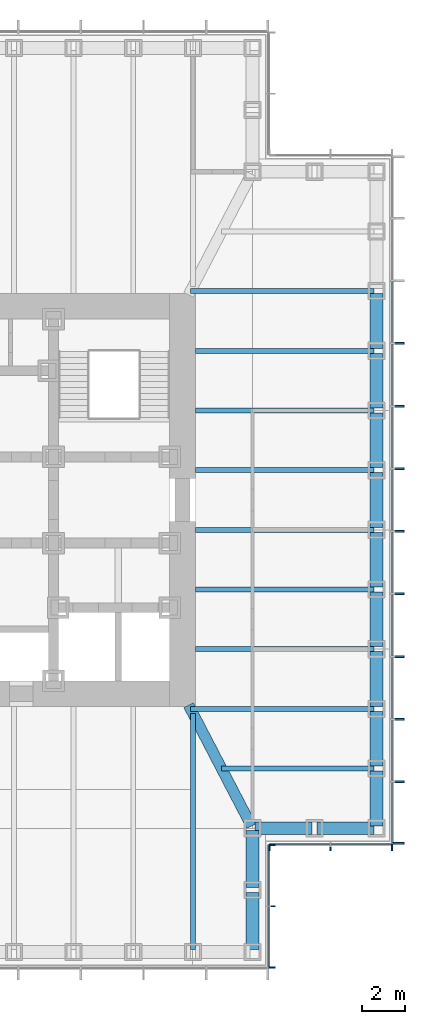
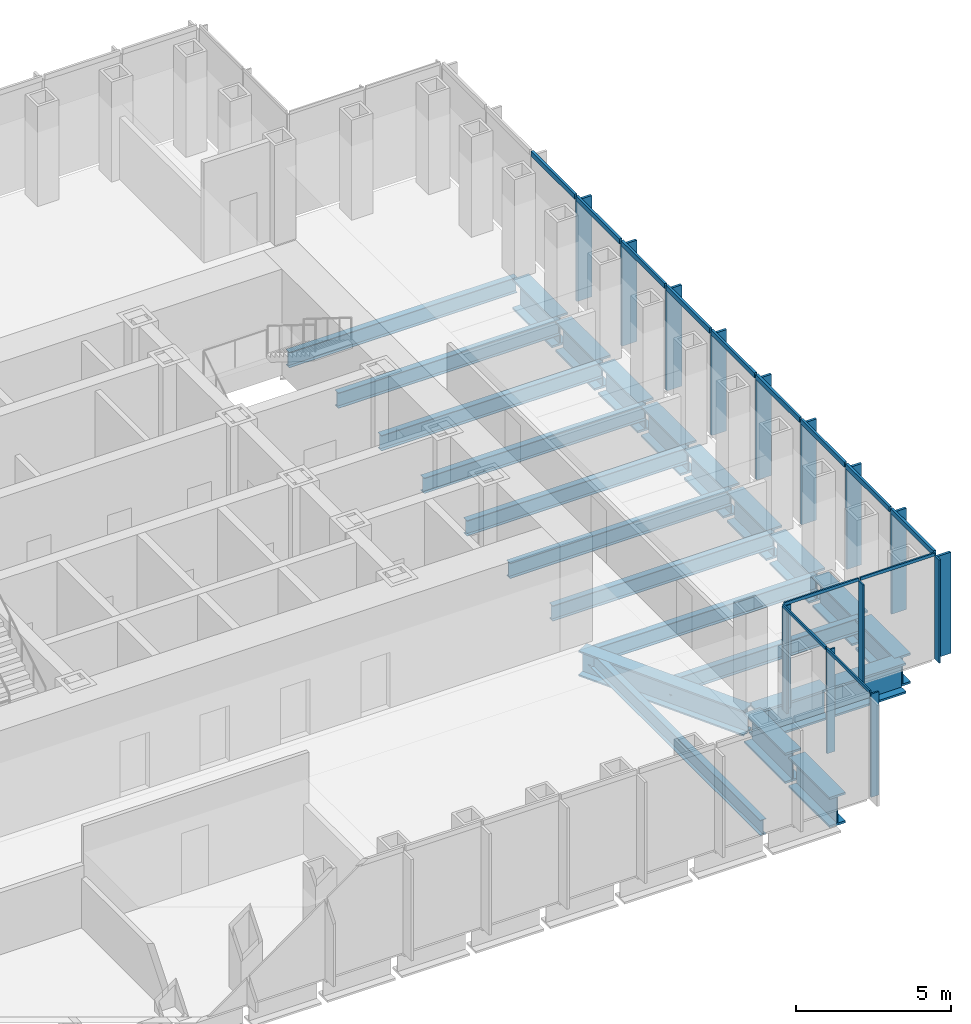
# One storey, part 4 of 16: 28 members, 24 beams, 3 elements without a shape of their own.
"""IFC4 building model written with IfcOpenShell, lengths in metres."""

import ifcopenshell
import ifcopenshell.guid

model = None  # the IFC model being written
_history = None  # IfcOwnerHistory: only IFC2X3 demands one
_inside = {}  # id of a spatial element -> (the spatial element, [elements in it])
_under = {}  # id of a project, library or spatial element -> (it, [spatial elements below it])
_declared = {}  # id of a project -> (the project, [libraries it declares])
_typed = {}  # id of a type object -> (the type object, [elements of that type])
_made_of = {}  # id of a material, layer set ... -> (it, [elements and type objects made of it])


def new_model(schema):
    """Start an empty IFC model of exactly this schema.

    Asked for "IFC4X3", IfcOpenShell would pick the latest addendum, in which some entities
    have other attributes; the version numbers below select the first issue.
    IFC2X3 requires an IfcOwnerHistory on every rooted entity: one is made here for all.
    """
    global model, _history
    if schema == "IFC4X3":
        model = ifcopenshell.file(schema_version=(4, 3, 0, 0))
    else:
        model = ifcopenshell.file(schema=schema)
    _inside.clear()
    _under.clear()
    _declared.clear()
    _typed.clear()
    _made_of.clear()
    _history = None
    if model.schema == "IFC2X3":
        org = make("IfcOrganization", Name="unknown")
        user = make(
            "IfcPersonAndOrganization",
            ThePerson=make("IfcPerson", FamilyName="unknown"),
            TheOrganization=org,
        )
        app = make(
            "IfcApplication",
            ApplicationDeveloper=org,
            Version="unknown",
            ApplicationFullName="unknown",
            ApplicationIdentifier="unknown",
        )
        _history = make(
            "IfcOwnerHistory",
            OwningUser=user,
            OwningApplication=app,
            ChangeAction="ADDED",
            CreationDate=0,
        )
    return model


def make(cls, **values):
    """One entity of the class cls with the attributes given. An attribute that is None is left unset."""
    return model.create_entity(
        cls, **{name: value for name, value in values.items() if value is not None}
    )


def rooted(cls, **values):
    """An entity with a GlobalId (a new one), such as an element, a storey or a relation."""
    return make(cls, GlobalId=ifcopenshell.guid.new(), OwnerHistory=_history, **values)


def si_unit(unit_type, name, prefix=None):
    """IfcSIUnit, for example si_unit("LENGTHUNIT", "METRE", prefix="MILLI")."""
    return make("IfcSIUnit", UnitType=unit_type, Prefix=prefix, Name=name)


def assignment(units):
    """IfcUnitAssignment: the units of a project."""
    return None if units is None else make("IfcUnitAssignment", Units=units)


def point(xyz):
    """IfcCartesianPoint."""
    return None if xyz is None else make("IfcCartesianPoint", Coordinates=xyz)


def direction(xyz):
    """IfcDirection."""
    return None if xyz is None else make("IfcDirection", DirectionRatios=xyz)


def frame(location, z_axis=None, x_axis=None):
    """IfcAxis2Placement3D, a coordinate frame: its origin and axes. An axis left out is left unset."""
    return make(
        "IfcAxis2Placement3D",
        Location=point(location),
        Axis=direction(z_axis),
        RefDirection=direction(x_axis),
    )


def frame_2d(location, x_axis=None):
    """IfcAxis2Placement2D, a coordinate frame in the plane: its origin and x axis."""
    return make(
        "IfcAxis2Placement2D", Location=point(location), RefDirection=direction(x_axis)
    )


def origin():
    """The frame at (0, 0, 0) with its axes left unset."""
    return frame((0.0, 0.0, 0.0))


def origin_2d():
    """The frame at (0, 0) in the plane with its x axis left unset."""
    return frame_2d((0.0, 0.0))


def place(relative_to, where):
    """IfcLocalPlacement: puts the frame where relative to a parent placement (None: the world)."""
    return make(
        "IfcLocalPlacement", PlacementRelTo=relative_to, RelativePlacement=where
    )


def context(
    kind, dimensions, precision=None, world=None, true_north=None, identifier=None
):
    """IfcGeometricRepresentationContext, for example the 3D "Model" context."""
    return make(
        "IfcGeometricRepresentationContext",
        ContextIdentifier=identifier,
        ContextType=kind,
        CoordinateSpaceDimension=dimensions,
        Precision=precision,
        WorldCoordinateSystem=world,
        TrueNorth=true_north,
    )


def subcontext(parent, identifier, kind, view, scale=None):
    """IfcGeometricRepresentationSubContext, for example "Body" below "Model"."""
    return make(
        "IfcGeometricRepresentationSubContext",
        ContextIdentifier=identifier,
        ContextType=kind,
        ParentContext=parent,
        TargetScale=scale,
        TargetView=view,
    )


def project(units=None, contexts=None):
    """IfcProject with its units and contexts."""
    return rooted(
        "IfcProject",
        Name="project",
        RepresentationContexts=contexts,
        UnitsInContext=assignment(units),
    )


def spatial(cls, under=None, at=None, **own):
    """A site, building, storey or space (cls), placed at a placement, below another one or the project."""
    s = rooted(cls, ObjectPlacement=at, **own)
    if under is not None:
        _under.setdefault(under.id(), (under, []))[1].append(s)
    return s


def profile(cls, at=None, kind="AREA", **sizes):
    """A parametric profile (cls). Its sizes go by their IFC names, for example OverallWidth=200.0."""
    return make(cls, ProfileType=kind, Position=at, **sizes)


def rectangle(**sizes):
    """IfcRectangleProfileDef."""
    return profile("IfcRectangleProfileDef", **sizes)


def i_section(**sizes):
    """IfcIShapeProfileDef."""
    return profile("IfcIShapeProfileDef", **sizes)


def extrude(swept, where, along, depth):
    """IfcExtrudedAreaSolid: the profile swept, set in the frame where, extruded along a direction by depth."""
    return make(
        "IfcExtrudedAreaSolid",
        SweptArea=swept,
        Position=where,
        ExtrudedDirection=direction(along),
        Depth=depth,
    )


def shape(context_of_items, identifier, shape_type, items):
    """IfcShapeRepresentation: the items that make up one representation, for example the "Body"."""
    return make(
        "IfcShapeRepresentation",
        ContextOfItems=context_of_items,
        RepresentationIdentifier=identifier,
        RepresentationType=shape_type,
        Items=items,
    )


def material(Name=None, Category=None):
    """IfcMaterial."""
    return make("IfcMaterial", Name=Name, Category=Category)


def material_profile(
    of_material, cross_section, Name=None, Category=None, Priority=None
):
    """IfcMaterialProfile: a cross section and its material."""
    return make(
        "IfcMaterialProfile",
        Name=Name,
        Material=of_material,
        Profile=cross_section,
        Priority=Priority,
        Category=Category,
    )


def profile_set(profiles, Name=None, composite=None):
    """IfcMaterialProfileSet."""
    return make(
        "IfcMaterialProfileSet",
        Name=Name,
        MaterialProfiles=profiles,
        CompositeProfile=composite,
    )


def made_of(thing, what):
    """Note that an element or type object is made of a material, layer set ...; save() writes the relation."""
    if what is not None:
        _made_of.setdefault(what.id(), (what, []))[1].append(thing)
    return thing


def type_object(cls, material=None, **own):
    """A type object (cls), such as IfcWallType, which elements share."""
    return made_of(rooted(cls, **own), material)


def element(
    cls,
    number,
    at=None,
    inside=None,
    cuts=None,
    type_object=None,
    material=None,
    context=None,
    identifier="Body",
    shape_type=None,
    held_by="IfcProductDefinitionShape",
    body=None,
    shapes=None,
    **own,
):
    """One element of the class cls, such as IfcWall. Its Tag is "e" and its number.

    at: its placement. inside: the storey or other place that contains it. cuts: it is an
    opening in that element (IfcRelVoidsElement). A single representation is given by context,
    identifier, shape_type and body (its items); several are given by shapes. held_by: the class
    of the entity that holds the representations. save() writes the other relations.
    """
    e = rooted(cls, Tag="e%d" % number, ObjectPlacement=at, **own)
    if body is not None:
        shapes = [shape(context, identifier, shape_type, body)]
    if shapes is not None:
        e.Representation = make(held_by, Representations=shapes)
    if inside is not None:
        _inside.setdefault(inside.id(), (inside, []))[1].append(e)
    if cuts is not None:
        rooted(
            "IfcRelVoidsElement", RelatingBuildingElement=cuts, RelatedOpeningElement=e
        )
    if type_object is not None:
        _typed.setdefault(type_object.id(), (type_object, []))[1].append(e)
    return made_of(e, material)


def aggregate(whole, parts):
    """IfcRelAggregates: a whole, such as a stair, and the parts it consists of."""
    return rooted("IfcRelAggregates", RelatingObject=whole, RelatedObjects=parts)


def save(model, path):
    """Write the relations noted so far, then the file.

    IfcRelAggregates (storeys below a building ...), IfcRelContainedInSpatialStructure (elements
    in a storey), IfcRelDefinesByType, IfcRelAssociatesMaterial and IfcRelDeclares: one each for
    every whole, place, type object, material and project.
    """
    for whole, parts in _under.values():
        aggregate(whole, parts)
    for where, things in _inside.values():
        rooted(
            "IfcRelContainedInSpatialStructure",
            RelatedElements=things,
            RelatingStructure=where,
        )
    for kind, things in _typed.values():
        rooted("IfcRelDefinesByType", RelatedObjects=things, RelatingType=kind)
    for what, things in _made_of.values():
        rooted("IfcRelAssociatesMaterial", RelatedObjects=things, RelatingMaterial=what)
    for by, libraries in _declared.values():
        rooted("IfcRelDeclares", RelatingContext=by, RelatedDefinitions=libraries)
    model.write(path)


model = new_model("IFC4")

# Units and contexts
model_context = context("Model", 3, precision=1e-05, world=origin(), true_north=direction((0.0, 1.0)))
body_context = subcontext(model_context, "Body", "Model", "MODEL_VIEW")
ifc_project = project(units=[si_unit("LENGTHUNIT", "METRE"), si_unit("AREAUNIT", "SQUARE_METRE"), si_unit("VOLUMEUNIT", "CUBIC_METRE"), si_unit("PLANEANGLEUNIT", "RADIAN"), si_unit("MASSUNIT", "GRAM", prefix="KILO")], contexts=[model_context])

# Site, building, storey
site_placement = place(None, origin())
site = spatial("IfcSite", under=ifc_project, at=site_placement, CompositionType="ELEMENT")
building_placement = place(site_placement, origin())
building = spatial("IfcBuilding", under=site, at=building_placement, Name="Daluyong Arena Tower", CompositionType="ELEMENT")
storey_placement = place(building_placement, frame((0.0, 0.0, 275.5)))
storey = spatial("IfcBuildingStorey", under=building, at=storey_placement, Name="L62", CompositionType="ELEMENT", Elevation=275.5)

# Curtain wall, members
ifc_material_1 = material(Name="Bronze anodised aluminium and glass", Category="aluminium")
curtain_wall_type_1 = type_object("IfcCurtainWallType", Name="Curtain wall CW4", PredefinedType="USERDEFINED", material=ifc_material_1)
curtain_wall_1_placement = place(storey_placement, origin())
curtain_wall_1 = element("IfcCurtainWall", 1, at=curtain_wall_1_placement, inside=storey, type_object=curtain_wall_type_1, Name="curtain wall L62 E", ObjectType="UNITISED CURTAIN WALL", PredefinedType="USERDEFINED")
ifc_material_2 = material(Name="Bronze anodised aluminium fin", Category="aluminium")
ifc_material_profile_1 = material_profile(ifc_material_2, rectangle(XDim=0.550048828125, YDim=0.090087890625, at=origin_2d()))
ifc_profile_set_1 = profile_set([ifc_material_profile_1], Name="Bronze anodised aluminium fin")
member_type_1 = type_object("IfcMemberType", Name="CW4 bronze fin 550x90", PredefinedType="MULLION", material=ifc_profile_set_1)
member_1_placement = place(storey_placement, frame((78.02490234375, 64.044921875, 0.0), z_axis=(0.0, 0.0, 1.0), x_axis=(-1.0, 0.0, 0.0)))
member_1 = element("IfcMember", 2, at=member_1_placement, type_object=member_type_1, Name="curtain wall L62 E fin 1", PredefinedType="MULLION", context=body_context, shape_type="SweptSolid", body=[
    extrude(rectangle(XDim=0.550048828125, YDim=0.090087890625, at=origin_2d()), origin(), (0.0, 0.0, 1.0), 4.0),
])
member_2_placement = place(storey_placement, frame((78.02490234375, 66.9091796875, 0.0), z_axis=(0.0, 0.0, 1.0), x_axis=(-1.0, 0.0, 0.0)))
member_2 = element("IfcMember", 3, at=member_2_placement, type_object=member_type_1, Name="curtain wall L62 E fin 2", PredefinedType="MULLION", context=body_context, shape_type="SweptSolid", body=[
    extrude(rectangle(XDim=0.550048828125, YDim=0.090087890625, at=origin_2d()), origin(), (0.0, 0.0, 1.0), 4.0),
])
member_3_placement = place(storey_placement, frame((78.02490234375, 69.818115234375, 0.0), z_axis=(0.0, 0.0, 1.0), x_axis=(-1.0, 0.0, 0.0)))
member_3 = element("IfcMember", 4, at=member_3_placement, type_object=member_type_1, Name="curtain wall L62 E fin 3", PredefinedType="MULLION", context=body_context, shape_type="SweptSolid", body=[
    extrude(rectangle(XDim=0.550048828125, YDim=0.090087890625, at=origin_2d()), origin(), (0.0, 0.0, 1.0), 4.0),
])
member_4_placement = place(storey_placement, frame((78.02490234375, 72.727294921875, 0.0), z_axis=(0.0, 0.0, 1.0), x_axis=(-1.0, 0.0, 0.0)))
member_4 = element("IfcMember", 5, at=member_4_placement, type_object=member_type_1, Name="curtain wall L62 E fin 4", PredefinedType="MULLION", context=body_context, shape_type="SweptSolid", body=[
    extrude(rectangle(XDim=0.550048828125, YDim=0.090087890625, at=origin_2d()), origin(), (0.0, 0.0, 1.0), 4.0),
])
member_5_placement = place(storey_placement, frame((78.02490234375, 75.636474609375, 0.0), z_axis=(0.0, 0.0, 1.0), x_axis=(-1.0, 0.0, 0.0)))
member_5 = element("IfcMember", 6, at=member_5_placement, type_object=member_type_1, Name="curtain wall L62 E fin 5", PredefinedType="MULLION", context=body_context, shape_type="SweptSolid", body=[
    extrude(rectangle(XDim=0.550048828125, YDim=0.090087890625, at=origin_2d()), origin(), (0.0, 0.0, 1.0), 4.0),
])
member_6_placement = place(storey_placement, frame((78.02490234375, 78.54541015625, 0.0), z_axis=(0.0, 0.0, 1.0), x_axis=(-1.0, 0.0, 0.0)))
member_6 = element("IfcMember", 7, at=member_6_placement, type_object=member_type_1, Name="curtain wall L62 E fin 6", PredefinedType="MULLION", context=body_context, shape_type="SweptSolid", body=[
    extrude(rectangle(XDim=0.550048828125, YDim=0.090087890625, at=origin_2d()), origin(), (0.0, 0.0, 1.0), 4.0),
])
member_7_placement = place(storey_placement, frame((78.02490234375, 81.45458984375, 0.0), z_axis=(0.0, 0.0, 1.0), x_axis=(-1.0, 0.0, 0.0)))
member_7 = element("IfcMember", 8, at=member_7_placement, type_object=member_type_1, Name="curtain wall L62 E fin 7", PredefinedType="MULLION", context=body_context, shape_type="SweptSolid", body=[
    extrude(rectangle(XDim=0.550048828125, YDim=0.090087890625, at=origin_2d()), origin(), (0.0, 0.0, 1.0), 4.0),
])
member_8_placement = place(storey_placement, frame((78.02490234375, 84.363525390625, 0.0), z_axis=(0.0, 0.0, 1.0), x_axis=(-1.0, 0.0, 0.0)))
member_8 = element("IfcMember", 9, at=member_8_placement, type_object=member_type_1, Name="curtain wall L62 E fin 8", PredefinedType="MULLION", context=body_context, shape_type="SweptSolid", body=[
    extrude(rectangle(XDim=0.550048828125, YDim=0.090087890625, at=origin_2d()), origin(), (0.0, 0.0, 1.0), 4.0),
])
member_9_placement = place(storey_placement, frame((78.02490234375, 87.272705078125, 0.0), z_axis=(0.0, 0.0, 1.0), x_axis=(-1.0, 0.0, 0.0)))
member_9 = element("IfcMember", 10, at=member_9_placement, type_object=member_type_1, Name="curtain wall L62 E fin 9", PredefinedType="MULLION", context=body_context, shape_type="SweptSolid", body=[
    extrude(rectangle(XDim=0.550048828125, YDim=0.090087890625, at=origin_2d()), origin(), (0.0, 0.0, 1.0), 4.0),
])
ifc_material_3 = material(Name="Bronze anodised aluminium", Category="aluminium")
ifc_material_profile_2 = material_profile(ifc_material_3, rectangle(XDim=0.090087890625, YDim=0.199951171875, at=origin_2d()))
ifc_profile_set_2 = profile_set([ifc_material_profile_2], Name="Bronze anodised aluminium")
member_type_2 = type_object("IfcMemberType", Name="CW4 stack transom 200x90", PredefinedType="USERDEFINED", material=ifc_profile_set_2)
member_10_placement = place(storey_placement, frame((77.75, 64.090087890625, 4.10009765625), z_axis=(0.0, 1.0, 0.0), x_axis=(-1.0, 0.0, 0.0)))
member_10 = element("IfcMember", 11, at=member_10_placement, type_object=member_type_2, Name="curtain wall L62 E transom 1", ObjectType="TRANSOM", PredefinedType="USERDEFINED", context=body_context, shape_type="SweptSolid", body=[
    extrude(rectangle(XDim=0.090087890625, YDim=0.199951171875, at=origin_2d()), origin(), (0.0, 0.0, 1.0), 2.77392578125),
])
member_11_placement = place(storey_placement, frame((77.75, 66.9541015625, 4.10009765625), z_axis=(0.0, 1.0, 0.0), x_axis=(-1.0, 0.0, 0.0)))
member_11 = element("IfcMember", 12, at=member_11_placement, type_object=member_type_2, Name="curtain wall L62 E transom 2", ObjectType="TRANSOM", PredefinedType="USERDEFINED", context=body_context, shape_type="SweptSolid", body=[
    extrude(rectangle(XDim=0.090087890625, YDim=0.199951171875, at=origin_2d()), origin(), (0.0, 0.0, 1.0), 2.819091796875),
])
member_12_placement = place(storey_placement, frame((77.75, 69.86328125, 4.10009765625), z_axis=(0.0, 1.0, 0.0), x_axis=(-1.0, 0.0, 0.0)))
member_12 = element("IfcMember", 13, at=member_12_placement, type_object=member_type_2, Name="curtain wall L62 E transom 3", ObjectType="TRANSOM", PredefinedType="USERDEFINED", context=body_context, shape_type="SweptSolid", body=[
    extrude(rectangle(XDim=0.090087890625, YDim=0.199951171875, at=origin_2d()), origin(), (0.0, 0.0, 1.0), 2.819091796875),
])
member_13_placement = place(storey_placement, frame((77.75, 72.772216796875, 4.10009765625), z_axis=(0.0, 1.0, 0.0), x_axis=(-1.0, 0.0, 0.0)))
member_13 = element("IfcMember", 14, at=member_13_placement, type_object=member_type_2, Name="curtain wall L62 E transom 4", ObjectType="TRANSOM", PredefinedType="USERDEFINED", context=body_context, shape_type="SweptSolid", body=[
    extrude(rectangle(XDim=0.090087890625, YDim=0.199951171875, at=origin_2d()), origin(), (0.0, 0.0, 1.0), 2.819091796875),
])
member_14_placement = place(storey_placement, frame((77.75, 75.681396484375, 4.10009765625), z_axis=(0.0, 1.0, 0.0), x_axis=(-1.0, 0.0, 0.0)))
member_14 = element("IfcMember", 15, at=member_14_placement, type_object=member_type_2, Name="curtain wall L62 E transom 5", ObjectType="TRANSOM", PredefinedType="USERDEFINED", context=body_context, shape_type="SweptSolid", body=[
    extrude(rectangle(XDim=0.090087890625, YDim=0.199951171875, at=origin_2d()), origin(), (0.0, 0.0, 1.0), 2.819091796875),
])
member_15_placement = place(storey_placement, frame((77.75, 78.590576171875, 4.10009765625), z_axis=(0.0, 1.0, 0.0), x_axis=(-1.0, 0.0, 0.0)))
member_15 = element("IfcMember", 16, at=member_15_placement, type_object=member_type_2, Name="curtain wall L62 E transom 6", ObjectType="TRANSOM", PredefinedType="USERDEFINED", context=body_context, shape_type="SweptSolid", body=[
    extrude(rectangle(XDim=0.090087890625, YDim=0.199951171875, at=origin_2d()), origin(), (0.0, 0.0, 1.0), 2.81884765625),
])
member_16_placement = place(storey_placement, frame((77.75, 81.49951171875, 4.10009765625), z_axis=(0.0, 1.0, 0.0), x_axis=(-1.0, 0.0, 0.0)))
member_16 = element("IfcMember", 17, at=member_16_placement, type_object=member_type_2, Name="curtain wall L62 E transom 7", ObjectType="TRANSOM", PredefinedType="USERDEFINED", context=body_context, shape_type="SweptSolid", body=[
    extrude(rectangle(XDim=0.090087890625, YDim=0.199951171875, at=origin_2d()), origin(), (0.0, 0.0, 1.0), 2.819091796875),
])
member_17_placement = place(storey_placement, frame((77.75, 84.40869140625, 4.10009765625), z_axis=(0.0, 1.0, 0.0), x_axis=(-1.0, 0.0, 0.0)))
member_17 = element("IfcMember", 18, at=member_17_placement, type_object=member_type_2, Name="curtain wall L62 E transom 8", ObjectType="TRANSOM", PredefinedType="USERDEFINED", context=body_context, shape_type="SweptSolid", body=[
    extrude(rectangle(XDim=0.090087890625, YDim=0.199951171875, at=origin_2d()), origin(), (0.0, 0.0, 1.0), 2.819091796875),
])
member_18_placement = place(storey_placement, frame((77.75, 87.317626953125, 4.10009765625), z_axis=(0.0, 1.0, 0.0), x_axis=(-1.0, 0.0, 0.0)))
member_18 = element("IfcMember", 19, at=member_18_placement, type_object=member_type_2, Name="curtain wall L62 E transom 9", ObjectType="TRANSOM", PredefinedType="USERDEFINED", context=body_context, shape_type="SweptSolid", body=[
    extrude(rectangle(XDim=0.090087890625, YDim=0.199951171875, at=origin_2d()), origin(), (0.0, 0.0, 1.0), 2.819091796875),
])
aggregate(curtain_wall_1, [member_1, member_2, member_3, member_4, member_5, member_6, member_7, member_8, member_9, member_10, member_11, member_12, member_13, member_14, member_15, member_16, member_17, member_18])

ifc_material_4 = material(Name="Bronze anodised aluminium and glass", Category="aluminium")
curtain_wall_type_2 = type_object("IfcCurtainWallType", Name="Curtain wall CW7", PredefinedType="USERDEFINED", material=ifc_material_4)
curtain_wall_2_placement = place(storey_placement, origin())
curtain_wall_2 = element("IfcCurtainWall", 20, at=curtain_wall_2_placement, inside=storey, type_object=curtain_wall_type_2, Name="curtain wall L62 SE-E", ObjectType="UNITISED CURTAIN WALL", PredefinedType="USERDEFINED")
ifc_material_5 = material(Name="Bronze anodised aluminium fin", Category="aluminium")
ifc_material_profile_3 = material_profile(ifc_material_5, rectangle(XDim=0.300048828125, YDim=0.06005859375, at=origin_2d()))
ifc_profile_set_3 = profile_set([ifc_material_profile_3], Name="Bronze anodised aluminium fin")
member_type_3 = type_object("IfcMemberType", Name="CW7 bronze fin 300x60", PredefinedType="MULLION", material=ifc_profile_set_3)
member_19_placement = place(storey_placement, frame((72.14990234375, 58.280029296875, 0.0), z_axis=(0.0, 0.0, 1.0), x_axis=(-1.0, 0.0, 0.0)))
member_19 = element("IfcMember", 21, at=member_19_placement, type_object=member_type_3, Name="curtain wall L62 SE-E fin 1", PredefinedType="MULLION", context=body_context, shape_type="SweptSolid", body=[
    extrude(rectangle(XDim=0.300048828125, YDim=0.06005859375, at=origin_2d()), origin(), (0.0, 0.0, 1.0), 4.080078125),
])
member_20_placement = place(storey_placement, frame((72.14990234375, 61.125, 0.0), z_axis=(0.0, 0.0, 1.0), x_axis=(-1.0, 0.0, 0.0)))
member_20 = element("IfcMember", 22, at=member_20_placement, type_object=member_type_3, Name="curtain wall L62 SE-E fin 2", PredefinedType="MULLION", context=body_context, shape_type="SweptSolid", body=[
    extrude(rectangle(XDim=0.300048828125, YDim=0.06005859375, at=origin_2d()), origin(), (0.0, 0.0, 1.0), 4.080078125),
])
member_21_placement = place(storey_placement, frame((72.14990234375, 63.969970703125, 0.0), z_axis=(0.0, 0.0, 1.0), x_axis=(-1.0, 0.0, 0.0)))
member_21 = element("IfcMember", 23, at=member_21_placement, type_object=member_type_3, Name="curtain wall L62 SE-E fin 3", PredefinedType="MULLION", context=body_context, shape_type="SweptSolid", body=[
    extrude(rectangle(XDim=0.300048828125, YDim=0.06005859375, at=origin_2d()), origin(), (0.0, 0.0, 1.0), 4.080078125),
])

curtain_wall_3_placement = place(storey_placement, origin())
curtain_wall_3 = element("IfcCurtainWall", 24, at=curtain_wall_3_placement, inside=storey, type_object=curtain_wall_type_2, Name="curtain wall L62 SE-S", ObjectType="UNITISED CURTAIN WALL", PredefinedType="USERDEFINED")
member_22_placement = place(storey_placement, frame((72.030029296875, 63.85009765625, 0.0), z_axis=(0.0, 0.0, 1.0), x_axis=(0.0, 1.0, 0.0)))
member_22 = element("IfcMember", 25, at=member_22_placement, type_object=member_type_3, Name="curtain wall L62 SE-S fin 1", PredefinedType="MULLION", context=body_context, shape_type="SweptSolid", body=[
    extrude(rectangle(XDim=0.300048828125, YDim=0.06005859375, at=origin_2d()), origin(), (0.0, 0.0, 1.0), 4.080078125),
])
member_23_placement = place(storey_placement, frame((74.875, 63.85009765625, 0.0), z_axis=(0.0, 0.0, 1.0), x_axis=(0.0, 1.0, 0.0)))
member_23 = element("IfcMember", 26, at=member_23_placement, type_object=member_type_3, Name="curtain wall L62 SE-S fin 2", PredefinedType="MULLION", context=body_context, shape_type="SweptSolid", body=[
    extrude(rectangle(XDim=0.300048828125, YDim=0.06005859375, at=origin_2d()), origin(), (0.0, 0.0, 1.0), 4.080078125),
])
member_24_placement = place(storey_placement, frame((77.719970703125, 63.85009765625, 0.0), z_axis=(0.0, 0.0, 1.0), x_axis=(0.0, 1.0, 0.0)))
member_24 = element("IfcMember", 27, at=member_24_placement, type_object=member_type_3, Name="curtain wall L62 SE-S fin 3", PredefinedType="MULLION", context=body_context, shape_type="SweptSolid", body=[
    extrude(rectangle(XDim=0.300048828125, YDim=0.06005859375, at=origin_2d()), origin(), (0.0, 0.0, 1.0), 4.080078125),
])

# Member
ifc_material_6 = material(Name="Bronze anodised aluminium", Category="aluminium")
ifc_material_profile_4 = material_profile(ifc_material_6, rectangle(XDim=0.06005859375, YDim=0.1201171875, at=origin_2d()))
ifc_profile_set_4 = profile_set([ifc_material_profile_4], Name="Bronze anodised aluminium")
member_type_4 = type_object("IfcMemberType", Name="CW7 stack transom 120x60", PredefinedType="USERDEFINED", material=ifc_profile_set_4)
member_25_placement = place(storey_placement, frame((72.0, 58.31005859375, 4.139892578125), z_axis=(0.0, 1.0, 0.0), x_axis=(-1.0, 0.0, 0.0)))
member_25 = element("IfcMember", 28, at=member_25_placement, type_object=member_type_4, Name="curtain wall L62 SE-E transom 1", ObjectType="TRANSOM", PredefinedType="USERDEFINED", context=body_context, shape_type="SweptSolid", body=[
    extrude(rectangle(XDim=0.06005859375, YDim=0.1201171875, at=origin_2d()), origin(), (0.0, 0.0, 1.0), 2.784912109375),
])

member_26_placement = place(storey_placement, frame((72.0, 61.155029296875, 4.139892578125), z_axis=(0.0, 1.0, 0.0), x_axis=(-1.0, 0.0, 0.0)))
member_26 = element("IfcMember", 29, at=member_26_placement, type_object=member_type_4, Name="curtain wall L62 SE-E transom 2", ObjectType="TRANSOM", PredefinedType="USERDEFINED", context=body_context, shape_type="SweptSolid", body=[
    extrude(rectangle(XDim=0.06005859375, YDim=0.1201171875, at=origin_2d()), origin(), (0.0, 0.0, 1.0), 2.784912109375),
])

aggregate(curtain_wall_2, [member_19, member_20, member_21, member_25, member_26])

member_27_placement = place(storey_placement, frame((72.06005859375, 64.0, 4.139892578125), z_axis=(1.0, 0.0, 0.0), x_axis=(0.0, 1.0, 0.0)))
member_27 = element("IfcMember", 30, at=member_27_placement, type_object=member_type_4, Name="curtain wall L62 SE-S transom 1", ObjectType="TRANSOM", PredefinedType="USERDEFINED", context=body_context, shape_type="SweptSolid", body=[
    extrude(rectangle(XDim=0.06005859375, YDim=0.1201171875, at=origin_2d()), origin(), (0.0, 0.0, 1.0), 2.784912109375),
])

member_28_placement = place(storey_placement, frame((74.905029296875, 64.0, 4.139892578125), z_axis=(1.0, 0.0, 0.0), x_axis=(0.0, 1.0, 0.0)))
member_28 = element("IfcMember", 31, at=member_28_placement, type_object=member_type_4, Name="curtain wall L62 SE-S transom 2", ObjectType="TRANSOM", PredefinedType="USERDEFINED", context=body_context, shape_type="SweptSolid", body=[
    extrude(rectangle(XDim=0.06005859375, YDim=0.1201171875, at=origin_2d()), origin(), (0.0, 0.0, 1.0), 2.784912109375),
])

aggregate(curtain_wall_3, [member_22, member_23, member_24, member_27, member_28])

# Beams
ifc_material_7 = material(Name="Steel ASTM A572 Grade 50", Category="steel")
ifc_material_profile_5 = material_profile(ifc_material_7, i_section(OverallWidth=0.5, OverallDepth=1.0, WebThickness=0.03, FlangeThickness=0.06, at=origin_2d()))
ifc_profile_set_5 = profile_set([ifc_material_profile_5], Name="Steel ASTM A572 Grade 50")
beam_type_1 = type_object("IfcBeamType", Name="Corner girder TB1000X500", PredefinedType="BEAM", material=ifc_profile_set_5)
beam_1_placement = place(storey_placement, frame((71.197021484375, 64.85205078125, -0.659912109375), z_axis=(-0.461351522179, 0.887217432754, 0.0), x_axis=(-0.887217432754, -0.461351522179, 0.0)))
element("IfcBeam", 32, at=beam_1_placement, inside=storey, type_object=beam_type_1, Name="corner girder DG2", PredefinedType="BEAM", context=body_context, shape_type="SweptSolid", body=[
    extrude(i_section(OverallWidth=0.5, OverallDepth=1.0, WebThickness=0.03, FlangeThickness=0.06, at=origin_2d()), origin(), (0.0, 0.0, 1.0), 6.32958984375),
])
ifc_material_8 = material(Name="Steel ASTM A992 Grade 50", Category="steel")
ifc_material_profile_6 = material_profile(ifc_material_8, i_section(OverallWidth=0.22900390625, OverallDepth=0.612060546875, WebThickness=0.011962890625, FlangeThickness=0.01953125, at=origin_2d()))
ifc_profile_set_6 = profile_set([ifc_material_profile_6], Name="Steel ASTM A992 Grade 50")
beam_type_2 = type_object("IfcBeamType", Name="Floor beam W24X84", PredefinedType="BEAM", material=ifc_profile_set_6)
beam_2_placement = place(storey_placement, frame((68.477294921875, 59.114990234375, -0.466064453125), z_axis=(0.0, 1.0, 0.0), x_axis=(-1.0, 0.0, 0.0)))
element("IfcBeam", 33, at=beam_2_placement, inside=storey, type_object=beam_type_2, Name="floor beam FB3", PredefinedType="BEAM", context=body_context, shape_type="SweptSolid", body=[
    extrude(i_section(OverallWidth=0.22900390625, OverallDepth=0.612060546875, WebThickness=0.011962890625, FlangeThickness=0.01953125, at=origin_2d()), origin(), (0.0, 0.0, 1.0), 10.96728515625),
])
beam_3_placement = place(storey_placement, frame((76.885009765625, 67.522705078125, -0.466064453125), z_axis=(-1.0, 0.0, 0.0), x_axis=(0.0, -1.0, 0.0)))
element("IfcBeam", 34, at=beam_3_placement, inside=storey, type_object=beam_type_2, Name="floor beam FB3", PredefinedType="BEAM", context=body_context, shape_type="SweptSolid", body=[
    extrude(i_section(OverallWidth=0.22900390625, OverallDepth=0.612060546875, WebThickness=0.011962890625, FlangeThickness=0.01953125, at=origin_2d()), origin(), (0.0, 0.0, 1.0), 7.076904296875),
])
beam_4_placement = place(storey_placement, frame((76.885009765625, 70.29541015625, -0.466064453125), z_axis=(-1.0, 0.0, 0.0), x_axis=(0.0, -1.0, 0.0)))
element("IfcBeam", 35, at=beam_4_placement, inside=storey, type_object=beam_type_2, Name="floor beam FB3", PredefinedType="BEAM", context=body_context, shape_type="SweptSolid", body=[
    extrude(i_section(OverallWidth=0.22900390625, OverallDepth=0.612060546875, WebThickness=0.011962890625, FlangeThickness=0.01953125, at=origin_2d()), origin(), (0.0, 0.0, 1.0), 8.5185546875),
])
for number, where, z_axis, x_axis, name in (
    (36, (76.885009765625, 73.068115234375, -0.466064453125), (-1.0, 0.0, 0.0), (0.0, -1.0, 0.0), "floor beam FB3"),
    (37, (76.885009765625, 75.8408203125, -0.466064453125), (-1.0, 0.0, 0.0), (0.0, -1.0, 0.0), "floor beam FB3"),
    (38, (76.885009765625, 78.613525390625, -0.466064453125), (-1.0, 0.0, 0.0), (0.0, -1.0, 0.0), "floor beam FB3"),
    (39, (76.885009765625, 81.386474609375, -0.466064453125), (-1.0, 0.0, 0.0), (0.0, -1.0, 0.0), "floor beam FB3"),
    (40, (76.885009765625, 84.1591796875, -0.466064453125), (-1.0, 0.0, 0.0), (0.0, -1.0, 0.0), "floor beam FB3"),
    (41, (76.885009765625, 86.931884765625, -0.466064453125), (-1.0, 0.0, 0.0), (0.0, -1.0, 0.0), "floor beam FB3"),
):
    element("IfcBeam", number, at=place(storey_placement, frame(where, z_axis=z_axis, x_axis=x_axis)), inside=storey, type_object=beam_type_2, Name=name, PredefinedType="BEAM", context=body_context, shape_type="SweptSolid", body=[
        extrude(i_section(OverallWidth=0.22900390625, OverallDepth=0.612060546875, WebThickness=0.011962890625, FlangeThickness=0.01953125, at=origin_2d()), origin(), (0.0, 0.0, 1.0), 8.284912109375),
    ])
beam_5_placement = place(storey_placement, frame((76.885009765625, 89.70458984375, -0.466064453125), z_axis=(-1.0, 0.0, 0.0), x_axis=(0.0, -1.0, 0.0)))
element("IfcBeam", 42, at=beam_5_placement, inside=storey, type_object=beam_type_2, Name="floor beam FB3", PredefinedType="BEAM", context=body_context, shape_type="SweptSolid", body=[
    extrude(i_section(OverallWidth=0.22900390625, OverallDepth=0.612060546875, WebThickness=0.011962890625, FlangeThickness=0.01953125, at=origin_2d()), origin(), (0.0, 0.0, 1.0), 8.5185546875),
])
ifc_material_9 = material(Name="Steel ASTM A572 Grade 50", Category="steel")
ifc_material_profile_7 = material_profile(ifc_material_9, i_section(OverallWidth=0.60009765625, OverallDepth=1.199951171875, WebThickness=0.03, FlangeThickness=0.08, at=origin_2d()))
ifc_profile_set_7 = profile_set([ifc_material_profile_7], Name="Steel ASTM A572 Grade 50")
beam_type_3 = type_object("IfcBeamType", Name="Spandrel Z4 PG1200X600", PredefinedType="SPANDREL", material=ifc_profile_set_7)
for number, where, z_axis, x_axis, name in (
    (43, (71.25, 59.114990234375, -0.760009765625), (0.0, 1.0, 0.0), (-1.0, 0.0, 0.0), "spandrel z4 SB9"),
    (44, (71.25, 61.989990234375, -0.760009765625), (0.0, 1.0, 0.0), (-1.0, 0.0, 0.0), "spandrel z4 SB9"),
    (45, (71.364990234375, 64.75, -0.760009765625), (1.0, 0.0, 0.0), (0.0, 1.0, 0.0), "spandrel z4 SB9"),
    (46, (74.239990234375, 64.75, -0.760009765625), (1.0, 0.0, 0.0), (0.0, 1.0, 0.0), "spandrel z4 SB9"),
):
    element("IfcBeam", number, at=place(storey_placement, frame(where, z_axis=z_axis, x_axis=x_axis)), inside=storey, type_object=beam_type_3, Name=name, PredefinedType="SPANDREL", context=body_context, shape_type="SweptSolid", body=[
        extrude(i_section(OverallWidth=0.60009765625, OverallDepth=1.199951171875, WebThickness=0.03, FlangeThickness=0.08, at=origin_2d()), origin(), (0.0, 0.0, 1.0), 2.64501953125),
    ])
for number, where, z_axis, x_axis, name in (
    (47, (77.0, 64.864990234375, -0.760009765625), (0.0, 1.0, 0.0), (-1.0, 0.0, 0.0), "spandrel z4 SB9"),
    (48, (77.0, 67.6376953125, -0.760009765625), (0.0, 1.0, 0.0), (-1.0, 0.0, 0.0), "spandrel z4 SB9"),
    (49, (77.0, 70.410400390625, -0.760009765625), (0.0, 1.0, 0.0), (-1.0, 0.0, 0.0), "spandrel z4 SB9"),
    (50, (77.0, 73.18310546875, -0.760009765625), (0.0, 1.0, 0.0), (-1.0, 0.0, 0.0), "spandrel z4 SB9"),
    (51, (77.0, 75.955810546875, -0.760009765625), (0.0, 1.0, 0.0), (-1.0, 0.0, 0.0), "spandrel z4 SB9"),
):
    element("IfcBeam", number, at=place(storey_placement, frame(where, z_axis=z_axis, x_axis=x_axis)), inside=storey, type_object=beam_type_3, Name=name, PredefinedType="SPANDREL", context=body_context, shape_type="SweptSolid", body=[
        extrude(i_section(OverallWidth=0.60009765625, OverallDepth=1.199951171875, WebThickness=0.03, FlangeThickness=0.08, at=origin_2d()), origin(), (0.0, 0.0, 1.0), 2.542724609375),
    ])
beam_6_placement = place(storey_placement, frame((77.0, 78.728515625, -0.760009765625), z_axis=(0.0, 1.0, 0.0), x_axis=(-1.0, 0.0, 0.0)))
element("IfcBeam", 52, at=beam_6_placement, inside=storey, type_object=beam_type_3, Name="spandrel z4 SB9", PredefinedType="SPANDREL", context=body_context, shape_type="SweptSolid", body=[
    extrude(i_section(OverallWidth=0.60009765625, OverallDepth=1.199951171875, WebThickness=0.03, FlangeThickness=0.08, at=origin_2d()), origin(), (0.0, 0.0, 1.0), 2.54296875),
])
for number, where, z_axis, x_axis, name in (
    (53, (77.0, 81.50146484375, -0.760009765625), (0.0, 1.0, 0.0), (-1.0, 0.0, 0.0), "spandrel z4 SB9"),
    (54, (77.0, 84.274169921875, -0.760009765625), (0.0, 1.0, 0.0), (-1.0, 0.0, 0.0), "spandrel z4 SB9"),
    (55, (77.0, 87.046875, -0.760009765625), (0.0, 1.0, 0.0), (-1.0, 0.0, 0.0), "spandrel z4 SB9"),
):
    element("IfcBeam", number, at=place(storey_placement, frame(where, z_axis=z_axis, x_axis=x_axis)), inside=storey, type_object=beam_type_3, Name=name, PredefinedType="SPANDREL", context=body_context, shape_type="SweptSolid", body=[
        extrude(i_section(OverallWidth=0.60009765625, OverallDepth=1.199951171875, WebThickness=0.03, FlangeThickness=0.08, at=origin_2d()), origin(), (0.0, 0.0, 1.0), 2.542724609375),
    ])

save(model, "model.ifc")
